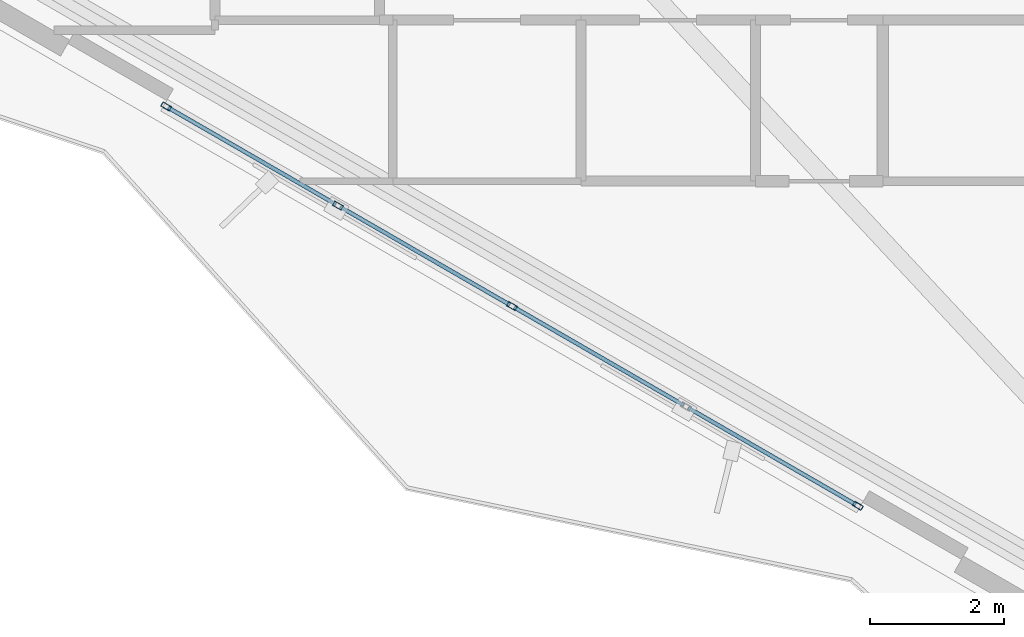
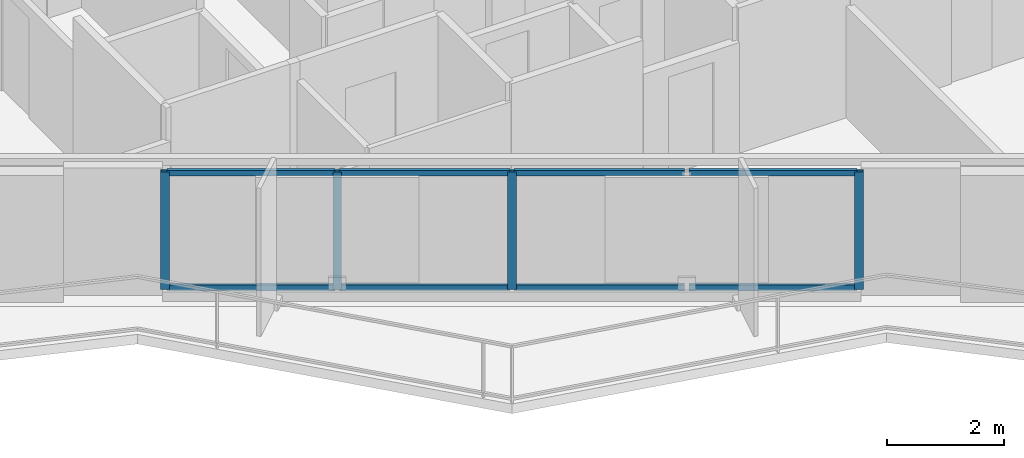
# One storey, part 2 of 19: 12 members, 1 element without a shape of its own.
"""IFC4 building model written with IfcOpenShell, lengths in metres."""

from ifc_helpers import new_model, si_unit, direction, frame, origin, origin_2d, place, context, subcontext, project, spatial, hollow_rectangle, extrude, material, layer, layer_set, material_profile, profile_set, type_object, element, aggregate, save


model = new_model("IFC4")

# Units and contexts
model_context = context("Model", 3, precision=1e-05, world=origin(), true_north=direction((0.0, 1.0)))
body_context = subcontext(model_context, "Body", "Model", "MODEL_VIEW")
ifc_project = project(units=[si_unit("LENGTHUNIT", "METRE"), si_unit("AREAUNIT", "SQUARE_METRE"), si_unit("VOLUMEUNIT", "CUBIC_METRE"), si_unit("PLANEANGLEUNIT", "RADIAN"), si_unit("MASSUNIT", "GRAM", prefix="KILO")], contexts=[model_context])

# Site, building, storey
site_placement = place(None, origin())
site = spatial("IfcSite", under=ifc_project, at=site_placement, CompositionType="ELEMENT")
building_placement = place(site_placement, origin())
building = spatial("IfcBuilding", under=site, at=building_placement, Name="Mersakhor Tower and Convention Hall", CompositionType="ELEMENT")
storey_placement = place(building_placement, frame((0.0, 0.0, 42.300048828125)))
storey = spatial("IfcBuildingStorey", under=building, at=storey_placement, Name="L11", CompositionType="ELEMENT", Elevation=42.300048828125)

# Curtain wall, members
ifc_material_1 = material(Name="Dark solar low-E aluminium curtain wall", Category="aluminium")
ifc_layer = layer(ifc_material_1, 0.159912109375)
ifc_layer_set = layer_set([ifc_layer], Name="Dark solar low-E aluminium curtain wall")
curtain_wall_type = type_object("IfcCurtainWallType", Name="CW-SYS-01", PredefinedType="USERDEFINED", material=ifc_layer_set)
curtain_wall_placement = place(storey_placement, origin())
curtain_wall = element("IfcCurtainWall", 1, at=curtain_wall_placement, inside=storey, type_object=curtain_wall_type, Name="L11 Dark-Glass Curtain Wall F3-B2", ObjectType="CURTAIN WALL", PredefinedType="USERDEFINED")
ifc_material_2 = material(Name="Anodised aluminium EN AW-6063 T6", Category="aluminium")
ifc_material_profile_1 = material_profile(ifc_material_2, hollow_rectangle(XDim=0.074951171875, YDim=0.14990234375, WallThickness=0.00634765625, at=origin_2d()), Name="RHS 150x75x6.3")
ifc_profile_set_1 = profile_set([ifc_material_profile_1], Name="Anodised aluminium EN AW-6063 T6")
member_type_1 = type_object("IfcMemberType", Name="CWM-150x75", PredefinedType="MULLION", material=ifc_profile_set_1)
member_1_placement = place(storey_placement, frame((26.72705078125, 10.9150390625, 0.199951171875), z_axis=(0.0, 0.0, 1.0), x_axis=(-0.50000344889, -0.866023412558, 0.0)))
member_1 = element("IfcMember", 2, at=member_1_placement, type_object=member_type_1, Name="CW-01 mullion 1", PredefinedType="MULLION", context=body_context, shape_type="SweptSolid", body=[
    extrude(hollow_rectangle(XDim=0.074951171875, YDim=0.14990234375, WallThickness=0.00634765625, at=origin_2d()), origin(), (0.0, 0.0, 1.0), 2.4599609375),
])
member_2_placement = place(storey_placement, frame((21.574951171875, 13.889404296875, 0.199951171875), z_axis=(0.0, 0.0, 1.0), x_axis=(-0.50000344889, -0.866023412558, 0.0)))
member_2 = element("IfcMember", 3, at=member_2_placement, type_object=member_type_1, Name="CW-01 mullion 3", PredefinedType="MULLION", context=body_context, shape_type="SweptSolid", body=[
    extrude(hollow_rectangle(XDim=0.074951171875, YDim=0.14990234375, WallThickness=0.00634765625, at=origin_2d()), origin(), (0.0, 0.0, 1.0), 2.4599609375),
])
member_3_placement = place(storey_placement, frame((18.982666015625, 15.38623046875, 0.199951171875), z_axis=(0.0, 0.0, 1.0), x_axis=(-0.50000344889, -0.866023412558, 0.0)))
member_3 = element("IfcMember", 4, at=member_3_placement, type_object=member_type_1, Name="CW-01 mullion 4", PredefinedType="MULLION", context=body_context, shape_type="SweptSolid", body=[
    extrude(hollow_rectangle(XDim=0.074951171875, YDim=0.14990234375, WallThickness=0.00634765625, at=origin_2d()), origin(), (0.0, 0.0, 1.0), 2.4599609375),
])
member_4_placement = place(storey_placement, frame((16.423095703125, 16.864013671875, 0.199951171875), z_axis=(0.0, 0.0, 1.0), x_axis=(-0.50000344889, -0.866023412558, 0.0)))
member_4 = element("IfcMember", 5, at=member_4_placement, type_object=member_type_1, Name="CW-01 mullion 5", PredefinedType="MULLION", context=body_context, shape_type="SweptSolid", body=[
    extrude(hollow_rectangle(XDim=0.074951171875, YDim=0.14990234375, WallThickness=0.00634765625, at=origin_2d()), origin(), (0.0, 0.0, 1.0), 2.4599609375),
])
ifc_material_3 = material(Name="Anodised aluminium EN AW-6063 T6", Category="aluminium")
ifc_material_profile_2 = material_profile(ifc_material_3, hollow_rectangle(XDim=0.06005859375, YDim=0.1201171875, WallThickness=0.0048828125, at=origin_2d()), Name="RHS 120x60x5")
ifc_profile_set_2 = profile_set([ifc_material_profile_2], Name="Anodised aluminium EN AW-6063 T6")
member_type_2 = type_object("IfcMemberType", Name="CWT-120x60", PredefinedType="USERDEFINED", material=ifc_profile_set_2)
member_5_placement = place(storey_placement, frame((26.694580078125, 10.93359375, 0.22998046875), z_axis=(-0.866023290103, 0.500003660985, 0.0), x_axis=(-0.500003660985, -0.866023290103, 0.0)))
member_5 = element("IfcMember", 6, at=member_5_placement, type_object=member_type_2, Name="CW-01 transom 1.1", ObjectType="TRANSOM", PredefinedType="USERDEFINED", context=body_context, shape_type="SweptSolid", body=[
    extrude(hollow_rectangle(XDim=0.06005859375, YDim=0.1201171875, WallThickness=0.0048828125, at=origin_2d()), origin(), (0.0, 0.0, 1.0), 2.880859375),
])
member_6_placement = place(storey_placement, frame((26.694580078125, 10.93359375, 2.6298828125), z_axis=(-0.866023290103, 0.500003660985, 0.0), x_axis=(-0.500003660985, -0.866023290103, 0.0)))
member_6 = element("IfcMember", 7, at=member_6_placement, type_object=member_type_2, Name="CW-01 transom 1.2", ObjectType="TRANSOM", PredefinedType="USERDEFINED", context=body_context, shape_type="SweptSolid", body=[
    extrude(hollow_rectangle(XDim=0.06005859375, YDim=0.1201171875, WallThickness=0.0048828125, at=origin_2d()), origin(), (0.0, 0.0, 1.0), 2.880859375),
])
member_7_placement = place(storey_placement, frame((24.134765625, 12.41162109375, 0.22998046875), z_axis=(-0.866015622527, 0.500016941252, 0.0), x_axis=(-0.500016941252, -0.866015622527, 0.0)))
member_7 = element("IfcMember", 8, at=member_7_placement, type_object=member_type_2, Name="CW-01 transom 2.1", ObjectType="TRANSOM", PredefinedType="USERDEFINED", context=body_context, shape_type="SweptSolid", body=[
    extrude(hollow_rectangle(XDim=0.06005859375, YDim=0.1201171875, WallThickness=0.0048828125, at=origin_2d()), origin(), (0.0, 0.0, 1.0), 2.91845703125),
])
member_8_placement = place(storey_placement, frame((24.134765625, 12.41162109375, 2.6298828125), z_axis=(-0.866015622527, 0.500016941252, 0.0), x_axis=(-0.500016941252, -0.866015622527, 0.0)))
member_8 = element("IfcMember", 9, at=member_8_placement, type_object=member_type_2, Name="CW-01 transom 2.2", ObjectType="TRANSOM", PredefinedType="USERDEFINED", context=body_context, shape_type="SweptSolid", body=[
    extrude(hollow_rectangle(XDim=0.06005859375, YDim=0.1201171875, WallThickness=0.0048828125, at=origin_2d()), origin(), (0.0, 0.0, 1.0), 2.91845703125),
])
member_9_placement = place(storey_placement, frame((21.54248046875, 13.908203125, 0.22998046875), z_axis=(-0.866015622527, 0.500016941252, 0.0), x_axis=(-0.500016941252, -0.866015622527, 0.0)))
member_9 = element("IfcMember", 10, at=member_9_placement, type_object=member_type_2, Name="CW-01 transom 3.1", ObjectType="TRANSOM", PredefinedType="USERDEFINED", context=body_context, shape_type="SweptSolid", body=[
    extrude(hollow_rectangle(XDim=0.06005859375, YDim=0.1201171875, WallThickness=0.0048828125, at=origin_2d()), origin(), (0.0, 0.0, 1.0), 2.91845703125),
])
member_10_placement = place(storey_placement, frame((21.54248046875, 13.908203125, 2.6298828125), z_axis=(-0.866015622527, 0.500016941252, 0.0), x_axis=(-0.500016941252, -0.866015622527, 0.0)))
member_10 = element("IfcMember", 11, at=member_10_placement, type_object=member_type_2, Name="CW-01 transom 3.2", ObjectType="TRANSOM", PredefinedType="USERDEFINED", context=body_context, shape_type="SweptSolid", body=[
    extrude(hollow_rectangle(XDim=0.06005859375, YDim=0.1201171875, WallThickness=0.0048828125, at=origin_2d()), origin(), (0.0, 0.0, 1.0), 2.91845703125),
])
member_11_placement = place(storey_placement, frame((18.9501953125, 15.40478515625, 0.22998046875), z_axis=(-0.866002100865, 0.500040359669, 0.0), x_axis=(-0.500040359669, -0.866002100865, 0.0)))
member_11 = element("IfcMember", 12, at=member_11_placement, type_object=member_type_2, Name="CW-01 transom 4.1", ObjectType="TRANSOM", PredefinedType="USERDEFINED", context=body_context, shape_type="SweptSolid", body=[
    extrude(hollow_rectangle(XDim=0.06005859375, YDim=0.1201171875, WallThickness=0.0048828125, at=origin_2d()), origin(), (0.0, 0.0, 1.0), 2.880615234375),
])
member_12_placement = place(storey_placement, frame((18.9501953125, 15.40478515625, 2.6298828125), z_axis=(-0.866002100865, 0.500040359669, 0.0), x_axis=(-0.500040359669, -0.866002100865, 0.0)))
member_12 = element("IfcMember", 13, at=member_12_placement, type_object=member_type_2, Name="CW-01 transom 4.2", ObjectType="TRANSOM", PredefinedType="USERDEFINED", context=body_context, shape_type="SweptSolid", body=[
    extrude(hollow_rectangle(XDim=0.06005859375, YDim=0.1201171875, WallThickness=0.0048828125, at=origin_2d()), origin(), (0.0, 0.0, 1.0), 2.880615234375),
])
aggregate(curtain_wall, [member_1, member_2, member_3, member_4, member_5, member_6, member_7, member_8, member_9, member_10, member_11, member_12])

save(model, "model.ifc")
